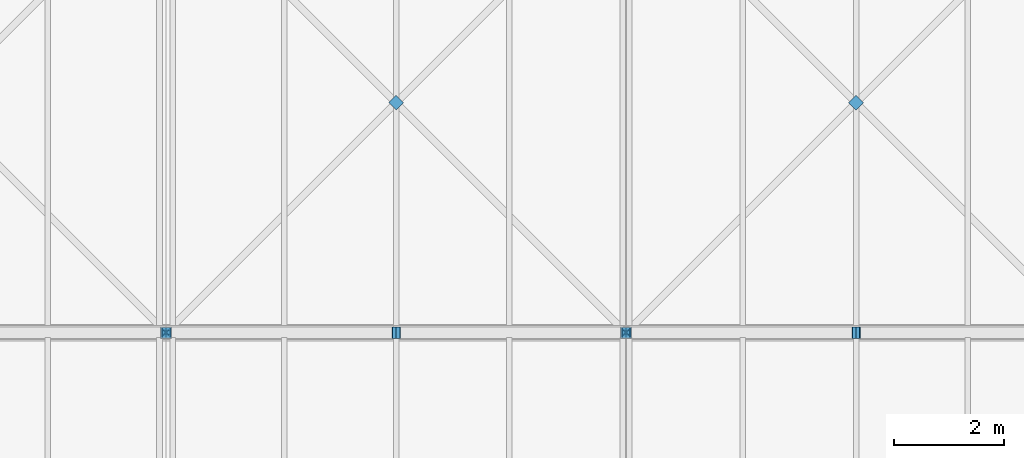
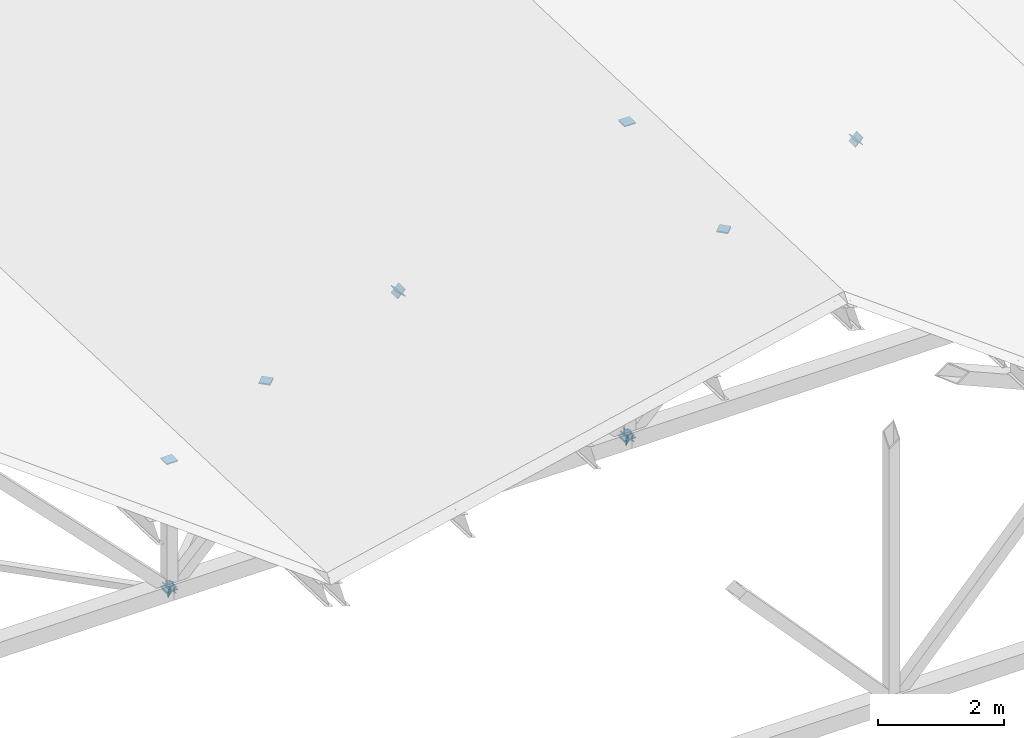
# One storey, part 56 of 76: 18 discrete accessories.
"""IFC4 building model written with IfcOpenShell, lengths in metres."""

from ifc_helpers import new_model, si_unit, direction, frame, origin, origin_2d, place, context, subcontext, project, spatial, rectangle, extrude, material, element, save


model = new_model("IFC4")

# Units and contexts
model_context = context("Model", 3, precision=1e-05, world=origin(), true_north=direction((0.0, 1.0)))
body_context = subcontext(model_context, "Body", "Model", "MODEL_VIEW")
ifc_project = project(units=[si_unit("LENGTHUNIT", "METRE"), si_unit("AREAUNIT", "SQUARE_METRE"), si_unit("VOLUMEUNIT", "CUBIC_METRE"), si_unit("PLANEANGLEUNIT", "RADIAN"), si_unit("MASSUNIT", "GRAM", prefix="KILO")], contexts=[model_context])

# Site, building, storey
site_placement = place(None, origin())
site = spatial("IfcSite", under=ifc_project, at=site_placement, CompositionType="ELEMENT")
building_placement = place(site_placement, origin())
building = spatial("IfcBuilding", under=site, at=building_placement, Name="Hlaing Beacon Police Headquarters", CompositionType="ELEMENT")
storey_placement = place(building_placement, frame((0.0, 0.0, 18.89990234375)))
storey = spatial("IfcBuildingStorey", under=building, at=storey_placement, Name="L04", CompositionType="ELEMENT", Elevation=18.89990234375)

# Discrete accessories
ifc_material = material(Name="Steel ASTM A572 Grade 50", Category="steel")
for number, where, z_axis, x_axis, name in (
    (1, (75.60009765625, 58.800048828125, -4.33740234375), (0.0, 0.0, -1.0), (1.0, 0.0, 0.0), "Gusset plate GP-327"),
    (2, (75.60009765625, 58.800048828125, -1.86767578125), (0.0, 0.0, 1.0), (1.0, 0.0, 0.0), "Gusset plate GP-328"),
    (3, (84.0, 58.800048828125, -4.33740234375), (0.0, 0.0, -1.0), (1.0, 0.0, 0.0), "Gusset plate GP-329"),
    (4, (84.0, 58.800048828125, 1.744384765625), (0.0, 0.0, 1.0), (1.0, 0.0, 0.0), "Gusset plate GP-330"),
):
    element("IfcDiscreteAccessory", number, at=place(storey_placement, frame(where, z_axis=z_axis, x_axis=x_axis)), inside=storey, material=ifc_material, Name=name, PredefinedType="BRACKET", context=body_context, shape_type="SweptSolid", body=[
        extrude(rectangle(XDim=0.203125, YDim=0.203125, at=origin_2d()), origin(), (0.0, 0.0, 1.0), 0.02001953125),
    ])
for number, where, z_axis, x_axis, name in (
    (5, (75.594482421875, 58.800048828125, -4.341796875), (0.699605329245, 0.0, -0.714529483851), (0.0, 1.0, 0.0), "Gusset plate GP-340"),
    (6, (75.605712890625, 58.800048828125, -4.341796875), (-0.699584566608, 0.0, -0.714549812234), (0.0, -1.0, 0.0), "Gusset plate GP-341"),
    (7, (79.79443359375, 58.800048828125, -0.0634765625), (0.699584566608, 0.0, 0.714549812234), (0.0, 1.0, 0.0), "Gusset plate GP-342"),
    (8, (79.8056640625, 58.800048828125, -0.063232421875), (-0.699584566608, 0.0, 0.714549812234), (0.0, -1.0, 0.0), "Gusset plate GP-343"),
    (9, (83.994384765625, 58.800048828125, -4.341552734375), (0.699584566608, 0.0, -0.714549812234), (0.0, 1.0, 0.0), "Gusset plate GP-344"),
    (10, (84.005615234375, 58.800048828125, -4.341796875), (-0.699584566608, 0.0, -0.714549812234), (0.0, -1.0, 0.0), "Gusset plate GP-345"),
    (11, (88.1943359375, 58.800048828125, -0.0634765625), (0.699584566608, 0.0, 0.714549812234), (0.0, 1.0, 0.0), "Gusset plate GP-346"),
    (12, (88.20556640625, 58.800048828125, -0.063232421875), (-0.699584566608, 0.0, 0.714549812234), (0.0, -1.0, 0.0), "Gusset plate GP-347"),
):
    element("IfcDiscreteAccessory", number, at=place(storey_placement, frame(where, z_axis=z_axis, x_axis=x_axis)), inside=storey, material=ifc_material, Name=name, PredefinedType="BRACKET", context=body_context, shape_type="SweptSolid", body=[
        extrude(rectangle(XDim=0.203125, YDim=0.203125, at=origin_2d()), origin(), (0.0, 0.0, 1.0), 0.01611328125),
    ])
for number, where, z_axis, x_axis, name in (
    (13, (75.595947265625, 58.80419921875, -4.4208984375), (0.707117056885, -0.707096505339, 0.0), (0.707096505339, 0.707117056885, 0.0), "Gusset plate GP-406"),
    (14, (75.604248046875, 58.80419921875, -4.27392578125), (-0.707106781187, -0.707106781187, 0.0), (0.707106781187, -0.707106781187, 0.0), "Gusset plate GP-407"),
    (15, (83.99560546875, 58.804443359375, -4.4208984375), (0.707106781187, -0.707106781187, 0.0), (0.707106781187, 0.707106781187, 0.0), "Gusset plate GP-410"),
    (16, (84.004150390625, 58.80419921875, -4.27392578125), (-0.707106781187, -0.707106781187, 0.0), (0.707106781187, -0.707106781187, 0.0), "Gusset plate GP-411"),
):
    element("IfcDiscreteAccessory", number, at=place(storey_placement, frame(where, z_axis=z_axis, x_axis=x_axis)), inside=storey, material=ifc_material, Name=name, PredefinedType="BRACKET", context=body_context, shape_type="SweptSolid", body=[
        extrude(rectangle(XDim=0.126953125, YDim=0.126953125, at=origin_2d()), origin(), (0.0, 0.0, 1.0), 0.011962890625),
    ])
for number, where, z_axis, x_axis, name in (
    (17, (79.800048828125, 63.0, -4.360595703125), (0.0, 0.0, 1.0), (0.707106781187, 0.707106781187, 0.0), "Node plate NP-007"),
    (18, (88.199951171875, 63.0, -4.360595703125), (0.0, 0.0, 1.0), (0.707106781187, 0.707106781187, 0.0), "Node plate NP-008"),
):
    element("IfcDiscreteAccessory", number, at=place(storey_placement, frame(where, z_axis=z_axis, x_axis=x_axis)), inside=storey, material=ifc_material, Name=name, PredefinedType="BRACKET", context=body_context, shape_type="SweptSolid", body=[
        extrude(rectangle(XDim=0.1904296875, YDim=0.1904296875, at=origin_2d()), origin(), (0.0, 0.0, 1.0), 0.02587890625),
    ])

save(model, "model.ifc")
